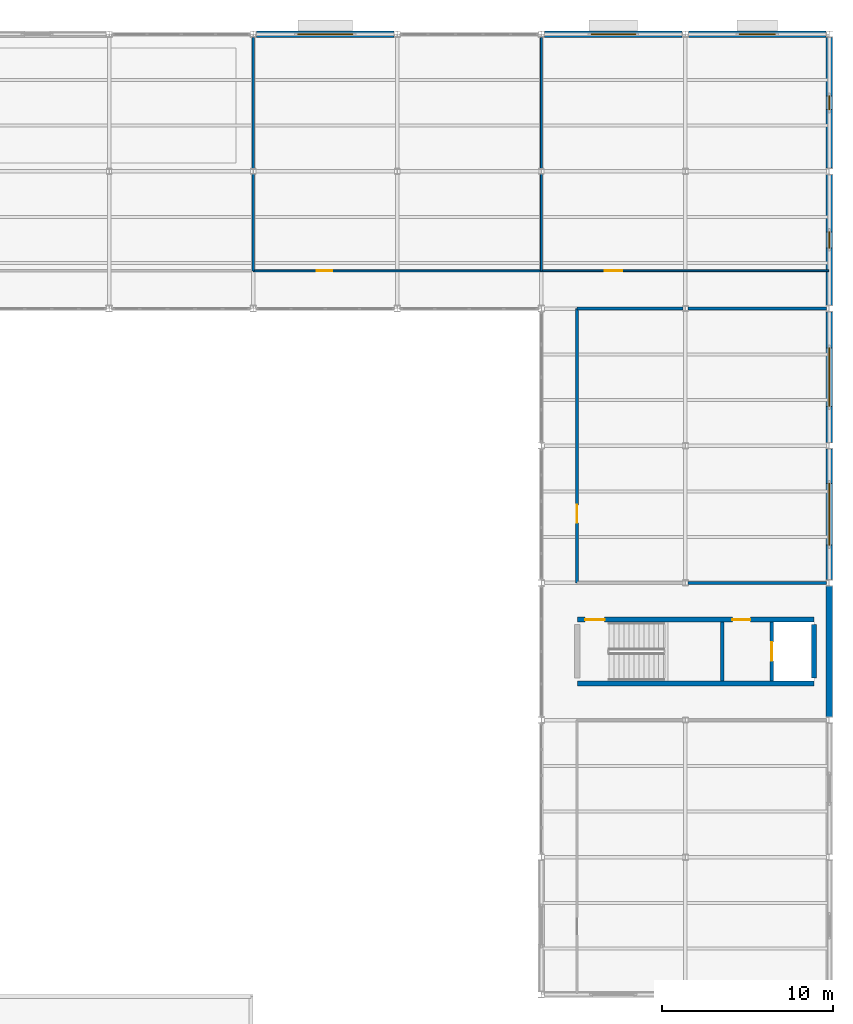
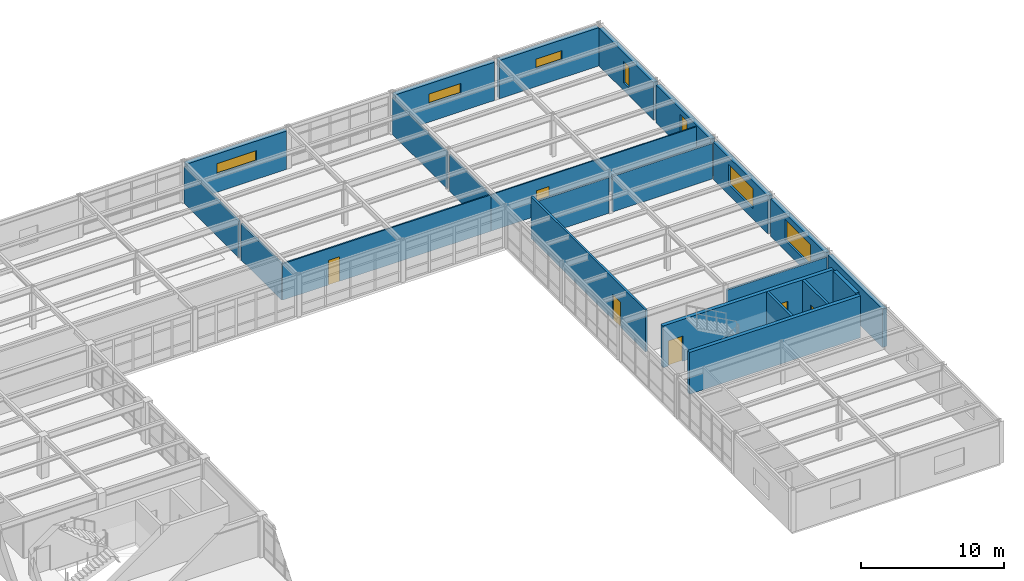
# One storey, part 54 of 96: 23 walls, 7 windows, 6 doors, 13 openings.
"""IFC4 building model written with IfcOpenShell, lengths in metres."""

from ifc_helpers import new_model, si_unit, direction, frame, frame_2d, origin, place, context, subcontext, project, spatial, rectangle, extrude, material, layer, layer_set, type_object, element, fill, save


model = new_model("IFC4")

# Units and contexts
model_context = context("Model", 3, precision=1e-05, world=origin(), true_north=direction((0.0, 1.0)))
body_context = subcontext(model_context, "Body", "Model", "MODEL_VIEW")
ifc_project = project(units=[si_unit("LENGTHUNIT", "METRE"), si_unit("AREAUNIT", "SQUARE_METRE"), si_unit("VOLUMEUNIT", "CUBIC_METRE"), si_unit("PLANEANGLEUNIT", "RADIAN"), si_unit("MASSUNIT", "GRAM", prefix="KILO")], contexts=[model_context])

# Site, building, storey
site_placement = place(None, origin())
site = spatial("IfcSite", under=ifc_project, at=site_placement, CompositionType="ELEMENT")
building_placement = place(site_placement, origin())
building = spatial("IfcBuilding", under=site, at=building_placement, Name="Kranzveld Transit Interchange", CompositionType="ELEMENT")
storey_placement = place(building_placement, frame((0.0, 0.0, 9.52001953125)))
storey = spatial("IfcBuildingStorey", under=building, at=storey_placement, Name="L02", CompositionType="ELEMENT", Elevation=9.52001953125)

# Wall, opening, door
ifc_material_1 = material(Name="Clay masonry unit wall, 20 MPa", Category="masonry")
ifc_layer_1 = layer(ifc_material_1, 0.1650390625)
ifc_layer_set_1 = layer_set([ifc_layer_1], Name="Clay masonry unit wall, 20 MPa")
wall_type_1 = type_object("IfcWallType", Name="Acoustic Double-Stud Partition 165", PredefinedType="PARTITIONING", material=ifc_layer_set_1)
wall_1_placement = place(storey_placement, frame((153.280029296875, 80.0, 0.0), z_axis=(0.0, 0.0, 1.0), x_axis=(0.0, 1.0, 0.0)))
wall_1 = element("IfcWall", 1, at=wall_1_placement, inside=storey, type_object=wall_type_1, Name="L02 Partition IW-L02-L02V4E-FRT-221-0", PredefinedType="PARTITIONING", context=body_context, shape_type="SweptSolid", body=[
    extrude(rectangle(XDim=16.0, YDim=0.1650390625, at=frame_2d((8.0, 0.0))), origin(), (0.0, 0.0, 1.0), 3.570068359375),
])
opening_1_placement = place(wall_1_placement, frame((4.550048828125, 0.0, 0.0), z_axis=(0.0, 0.0, 1.0), x_axis=(-1.0, 0.0, 0.0)))
opening_1 = element("IfcOpeningElement", 2, at=opening_1_placement, cuts=wall_1, Name="Opening D-221", PredefinedType="OPENING", context=body_context, shape_type="SweptSolid", body=[
    extrude(rectangle(XDim=1.050048828125, YDim=2.14990234375, at=frame_2d((0.52490234375, 1.074951171875))), frame((0.0, 0.092529296875, 0.0), z_axis=(0.0, -1.0, 0.0), x_axis=(1.0, 0.0, 0.0)), (0.0, 0.0, 1.0), 0.18505859375),
])
ifc_material_2 = material(Name="Bronze-anodised thermally broken aluminium", Category="aluminium")
door_type_1 = type_object("IfcDoorType", Name="Acoustic Meeting Door 1050x2150", OperationType="NOTDEFINED", PredefinedType="DOOR", material=ifc_material_2)
door_1_placement = place(opening_1_placement, origin())
door_1 = element("IfcDoor", 3, at=door_1_placement, inside=storey, type_object=door_type_1, Name="L02 Interior Door D-221", OperationType="SINGLE_SWING_RIGHT", OverallHeight=2.14990234375, OverallWidth=1.050048828125, PredefinedType="DOOR", context=body_context, shape_type="SweptSolid", body=[
    extrude(rectangle(XDim=1.050048828125, YDim=2.14990234375, at=frame_2d((0.52490234375, 1.074951171875))), frame((0.0, 0.02490234375, 0.0), z_axis=(0.0, -1.0, 0.0), x_axis=(1.0, 0.0, 0.0)), (0.0, 0.0, 1.0), 0.050048828125),
])
fill(opening_1, door_1)

# Walls
wall_2_placement = place(storey_placement, frame((159.747314453125, 80.0, 0.0), z_axis=(0.0, 0.0, 1.0), x_axis=(1.0, 0.0, 0.0)))
element("IfcWall", 4, at=wall_2_placement, inside=storey, type_object=wall_type_1, Name="L02 Partition IW-L02-L02V4E-S-221-1", PredefinedType="PARTITIONING", context=body_context, shape_type="SweptSolid", body=[
    extrude(rectangle(XDim=8.075439453125, YDim=0.1650390625, at=frame_2d((4.03759765625, 0.0))), origin(), (0.0, 0.0, 1.0), 3.036865234375),
])
wall_3_placement = place(storey_placement, frame((153.280029296875, 96.0, 0.0), z_axis=(0.0, 0.0, 1.0), x_axis=(1.0, 0.0, 0.0)))
element("IfcWall", 5, at=wall_3_placement, inside=storey, type_object=wall_type_1, Name="L02 Partition IW-L02-L02V4E-N-221-0", PredefinedType="PARTITIONING", context=body_context, shape_type="SweptSolid", body=[
    extrude(rectangle(XDim=6.172607421875, YDim=0.1650390625, at=frame_2d((3.08642578125, 0.0))), origin(), (0.0, 0.0, 1.0), 3.036865234375),
])
wall_4_placement = place(storey_placement, frame((159.747314453125, 96.0, 0.0), z_axis=(0.0, 0.0, 1.0), x_axis=(1.0, 0.0, 0.0)))
element("IfcWall", 6, at=wall_4_placement, inside=storey, type_object=wall_type_1, Name="L02 Partition IW-L02-L02V4E-N-221-1", PredefinedType="PARTITIONING", context=body_context, shape_type="SweptSolid", body=[
    extrude(rectangle(XDim=8.075439453125, YDim=0.1650390625, at=frame_2d((4.03759765625, 0.0))), origin(), (0.0, 0.0, 1.0), 3.036865234375),
])
ifc_material_3 = material(Name="Clay masonry unit wall, 20 MPa", Category="masonry")
ifc_layer_2 = layer(ifc_material_3, 0.139892578125)
ifc_layer_set_2 = layer_set([ifc_layer_2], Name="Clay masonry unit wall, 20 MPa")
wall_type_2 = type_object("IfcWallType", Name="Acoustic Stud Partition 140", PredefinedType="PARTITIONING", material=ifc_layer_set_2)
wall_5_placement = place(storey_placement, frame((134.39990234375, 98.199951171875, 0.0), z_axis=(0.0, 0.0, 1.0), x_axis=(0.0, 1.0, 0.0)))
element("IfcWall", 7, at=wall_5_placement, inside=storey, type_object=wall_type_2, Name="L02 Partition IW-L02-L02V4N-E-208-0", PredefinedType="PARTITIONING", context=body_context, shape_type="SweptSolid", body=[
    extrude(rectangle(XDim=5.64013671875, YDim=0.139892578125, at=frame_2d((2.820068359375, 0.0))), origin(), (0.0, 0.0, 1.0), 3.106689453125),
])
wall_6_placement = place(storey_placement, frame((134.39990234375, 104.159912109375, 0.0), z_axis=(0.0, 0.0, 1.0), x_axis=(0.0, 1.0, 0.0)))
element("IfcWall", 8, at=wall_6_placement, inside=storey, type_object=wall_type_2, Name="L02 Partition IW-L02-L02V4N-E-208-1", PredefinedType="PARTITIONING", context=body_context, shape_type="SweptSolid", body=[
    extrude(rectangle(XDim=7.662841796875, YDim=0.139892578125, at=frame_2d((3.83154296875, 0.0))), origin(), (0.0, 0.0, 1.0), 3.106689453125),
])
ifc_material_4 = material(Name="Concrete C40/50", Category="concrete")
ifc_layer_3 = layer(ifc_material_4, 0.300048828125)
ifc_layer_set_3 = layer_set([ifc_layer_3], Name="Concrete C40/50")
wall_type_3 = type_object("IfcWallType", Name="Core Shear Wall RC 300 C40/50", PredefinedType="SHEAR", material=ifc_layer_set_3)
wall_7_placement = place(storey_placement, frame((153.300048828125, 74.139892578125, 0.0), z_axis=(0.0, 0.0, 1.0), x_axis=(1.0, 0.0, 0.0)))
element("IfcWall", 9, at=wall_7_placement, inside=storey, type_object=wall_type_3, Name="L02 Community East Core C4 Shear Wall S", PredefinedType="SHEAR", context=body_context, shape_type="SweptSolid", body=[
    extrude(rectangle(XDim=13.800048828125, YDim=0.300048828125, at=frame_2d((6.89990234375, 0.0))), origin(), (0.0, 0.0, 1.0), 3.570068359375),
])

# Wall, openings, doors
wall_8_placement = place(storey_placement, frame((153.300048828125, 77.860107421875, 0.0), z_axis=(0.0, 0.0, 1.0), x_axis=(1.0, 0.0, 0.0)))
wall_8 = element("IfcWall", 10, at=wall_8_placement, inside=storey, type_object=wall_type_3, Name="L02 Community East Core C4 Shear Wall N", PredefinedType="SHEAR", context=body_context, shape_type="SweptSolid", body=[
    extrude(rectangle(XDim=13.800048828125, YDim=0.300048828125, at=frame_2d((6.89990234375, 0.0))), origin(), (0.0, 0.0, 1.0), 3.570068359375),
])
opening_2_placement = place(wall_8_placement, frame((0.449951171875, 0.0, 0.0), z_axis=(0.0, 0.0, 1.0), x_axis=(1.0, 0.0, 0.0)))
opening_2 = element("IfcOpeningElement", 11, at=opening_2_placement, cuts=wall_8, Name="Opening D-ST-C4-L02", PredefinedType="OPENING", context=body_context, shape_type="SweptSolid", body=[
    extrude(rectangle(XDim=1.14990234375, YDim=2.14990234375, at=frame_2d((0.574951171875, 1.074951171875))), frame((0.0, 0.159912109375, 0.0), z_axis=(0.0, -1.0, 0.0), x_axis=(1.0, 0.0, 0.0)), (0.0, 0.0, 1.0), 0.320068359375),
])
opening_3_placement = place(wall_8_placement, frame((9.050048828125, 0.0, 0.0), z_axis=(0.0, 0.0, 1.0), x_axis=(1.0, 0.0, 0.0)))
opening_3 = element("IfcOpeningElement", 12, at=opening_3_placement, cuts=wall_8, Name="Opening D-LB-C4-L02", PredefinedType="OPENING", context=body_context, shape_type="SweptSolid", body=[
    extrude(rectangle(XDim=1.050048828125, YDim=2.14990234375, at=frame_2d((0.52490234375, 1.074951171875))), frame((0.0, 0.159912109375, 0.0), z_axis=(0.0, -1.0, 0.0), x_axis=(1.0, 0.0, 0.0)), (0.0, 0.0, 1.0), 0.320068359375),
])
ifc_material_5 = material(Name="Steel S355JR", Category="steel")
door_type_2 = type_object("IfcDoorType", Name="Lift Lobby Fire Door 1050x2150 FD120S", OperationType="NOTDEFINED", PredefinedType="DOOR", material=ifc_material_5)
door_2_placement = place(opening_3_placement, origin())
door_2 = element("IfcDoor", 13, at=door_2_placement, inside=storey, type_object=door_type_2, Name="L02 Community East Core C4 Lift Protected Lobby Door", OperationType="SINGLE_SWING_RIGHT", OverallHeight=2.14990234375, OverallWidth=1.050048828125, PredefinedType="DOOR", context=body_context, shape_type="SweptSolid", body=[
    extrude(rectangle(XDim=1.050048828125, YDim=2.14990234375, at=frame_2d((0.52490234375, 1.074951171875))), frame((0.0, 0.02490234375, 0.0), z_axis=(0.0, -1.0, 0.0), x_axis=(1.0, 0.0, 0.0)), (0.0, 0.0, 1.0), 0.050048828125),
])
fill(opening_3, door_2)
ifc_material_6 = material(Name="Steel S355JR", Category="steel")
door_type_3 = type_object("IfcDoorType", Name="Stair Core Fire Door 1150x2150 FD120S", OperationType="NOTDEFINED", PredefinedType="DOOR", material=ifc_material_6)
door_3_placement = place(opening_2_placement, origin())
door_3 = element("IfcDoor", 14, at=door_3_placement, inside=storey, type_object=door_type_3, Name="L02 ST-V4B Protected Stair Door", OperationType="SINGLE_SWING_RIGHT", OverallHeight=2.14990234375, OverallWidth=1.14990234375, PredefinedType="DOOR", context=body_context, shape_type="SweptSolid", body=[
    extrude(rectangle(XDim=1.14990234375, YDim=2.14990234375, at=frame_2d((0.574951171875, 1.074951171875))), frame((0.0, 0.02490234375, 0.0), z_axis=(0.0, -1.0, 0.0), x_axis=(1.0, 0.0, 0.0)), (0.0, 0.0, 1.0), 0.050048828125),
])
fill(opening_2, door_3)

# Wall
wall_9_placement = place(storey_placement, frame((167.10009765625, 74.43994140625, 0.0), z_axis=(0.0, 0.0, 1.0), x_axis=(0.0, 1.0, 0.0)))
element("IfcWall", 15, at=wall_9_placement, inside=storey, type_object=wall_type_3, Name="L02 Community East Core C4 Shear Wall E", PredefinedType="SHEAR", context=body_context, shape_type="SweptSolid", body=[
    extrude(rectangle(XDim=3.1201171875, YDim=0.300048828125, at=frame_2d((1.56005859375, 0.0))), origin(), (0.0, 0.0, 1.0), 3.570068359375),
])

# Wall, opening, window
ifc_material_7 = material(Name="Pretoria red-purple clinker clay face brick, 35 MPa", Category="masonry")
ifc_layer_4 = layer(ifc_material_7, 0.360107421875)
ifc_layer_set_4 = layer_set([ifc_layer_4], Name="Pretoria red-purple clinker clay face brick, 35 MPa")
wall_type_4 = type_object("IfcWallType", Name="Exterior Cavity Wall Red Clinker 360", PredefinedType="SOLIDWALL", material=ifc_layer_set_4)
wall_10_placement = place(storey_placement, frame((134.58740234375, 112.0, 0.0), z_axis=(0.0, 0.0, 1.0), x_axis=(1.0, 0.0, 0.0)))
wall_10 = element("IfcWall", 16, at=wall_10_placement, inside=storey, type_object=wall_type_4, Name="L02 Clinker Facade Wall 17/Q-18/Q", PredefinedType="SOLIDWALL", context=body_context, shape_type="SweptSolid", body=[
    extrude(rectangle(XDim=8.025390625, YDim=0.360107421875, at=frame_2d((4.0126953125, 0.0))), origin(), (0.0, 0.0, 1.0), 3.27001953125),
])
opening_4_placement = place(wall_10_placement, frame((2.41259765625, 0.0, 1.550048828125), z_axis=(0.0, 0.0, 1.0), x_axis=(1.0, 0.0, 0.0)))
opening_4 = element("IfcOpeningElement", 17, at=opening_4_placement, cuts=wall_10, Name="Opening W-14", PredefinedType="OPENING", context=body_context, shape_type="SweptSolid", body=[
    extrude(rectangle(XDim=3.199951171875, YDim=0.89990234375, at=frame_2d((1.60009765625, 0.449951171875))), frame((0.0, 0.18994140625, 0.0), z_axis=(0.0, -1.0, 0.0), x_axis=(1.0, 0.0, 0.0)), (0.0, 0.0, 1.0), 0.380126953125),
])
ifc_material_8 = material(Name="Solar-control double glazing", Category="glass")
window_type_1 = type_object("IfcWindowType", Name="Window Clerestory 3200x900", PartitioningType="TRIPLE_PANEL_HORIZONTAL", PredefinedType="WINDOW", material=ifc_material_8)
window_1_placement = place(opening_4_placement, origin())
window_1 = element("IfcWindow", 18, at=window_1_placement, inside=storey, type_object=window_type_1, Name="L02 Facade Window 17/Q", OverallHeight=0.89990234375, OverallWidth=3.199951171875, PartitioningType="TRIPLE_PANEL_HORIZONTAL", PredefinedType="WINDOW", context=body_context, shape_type="SweptSolid", body=[
    extrude(rectangle(XDim=3.199951171875, YDim=0.89990234375, at=frame_2d((1.60009765625, 0.449951171875))), frame((0.0, 0.030029296875, 0.0), z_axis=(0.0, -1.0, 0.0), x_axis=(1.0, 0.0, 0.0)), (0.0, 0.0, 1.0), 0.06005859375),
])
fill(opening_4, window_1)

wall_11_placement = place(storey_placement, frame((151.38720703125, 112.0, 0.0), z_axis=(0.0, 0.0, 1.0), x_axis=(1.0, 0.0, 0.0)))
wall_11 = element("IfcWall", 19, at=wall_11_placement, inside=storey, type_object=wall_type_4, Name="L02 Clinker Facade Wall 19/Q-20/Q", PredefinedType="SOLIDWALL", context=body_context, shape_type="SweptSolid", body=[
    extrude(rectangle(XDim=8.025390625, YDim=0.360107421875, at=frame_2d((4.0126953125, 0.0))), origin(), (0.0, 0.0, 1.0), 3.27001953125),
])
opening_5_placement = place(wall_11_placement, frame((2.712646484375, 0.0, 1.550048828125), z_axis=(0.0, 0.0, 1.0), x_axis=(1.0, 0.0, 0.0)))
opening_5 = element("IfcOpeningElement", 20, at=opening_5_placement, cuts=wall_11, Name="Opening W-15", PredefinedType="OPENING", context=body_context, shape_type="SweptSolid", body=[
    extrude(rectangle(XDim=2.60009765625, YDim=0.85009765625, at=frame_2d((1.300048828125, 0.425048828125))), frame((0.0, 0.18994140625, 0.0), z_axis=(0.0, -1.0, 0.0), x_axis=(1.0, 0.0, 0.0)), (0.0, 0.0, 1.0), 0.380126953125),
])
ifc_material_9 = material(Name="Solar-control double glazing", Category="glass")
window_type_2 = type_object("IfcWindowType", Name="Window Clerestory 2600x850", PartitioningType="DOUBLE_PANEL_HORIZONTAL", PredefinedType="WINDOW", material=ifc_material_9)
window_2_placement = place(opening_5_placement, origin())
window_2 = element("IfcWindow", 21, at=window_2_placement, inside=storey, type_object=window_type_2, Name="L02 Facade Window 19/Q", OverallHeight=0.85009765625, OverallWidth=2.60009765625, PartitioningType="DOUBLE_PANEL_HORIZONTAL", PredefinedType="WINDOW", context=body_context, shape_type="SweptSolid", body=[
    extrude(rectangle(XDim=2.60009765625, YDim=0.85009765625, at=frame_2d((1.300048828125, 0.425048828125))), frame((0.0, 0.030029296875, 0.0), z_axis=(0.0, -1.0, 0.0), x_axis=(1.0, 0.0, 0.0)), (0.0, 0.0, 1.0), 0.06005859375),
])
fill(opening_5, window_2)

wall_12_placement = place(storey_placement, frame((159.787353515625, 112.0, 0.0), z_axis=(0.0, 0.0, 1.0), x_axis=(1.0, 0.0, 0.0)))
wall_12 = element("IfcWall", 22, at=wall_12_placement, inside=storey, type_object=wall_type_4, Name="L02 Clinker Facade Wall 20/Q-21/Q", PredefinedType="SOLIDWALL", context=body_context, shape_type="SweptSolid", body=[
    extrude(rectangle(XDim=8.025390625, YDim=0.360107421875, at=frame_2d((4.0126953125, 0.0))), origin(), (0.0, 0.0, 1.0), 3.27001953125),
])
opening_6_placement = place(wall_12_placement, frame((2.962646484375, 0.0, 1.550048828125), z_axis=(0.0, 0.0, 1.0), x_axis=(1.0, 0.0, 0.0)))
opening_6 = element("IfcOpeningElement", 23, at=opening_6_placement, cuts=wall_12, Name="Opening W-16", PredefinedType="OPENING", context=body_context, shape_type="SweptSolid", body=[
    extrude(rectangle(XDim=2.10009765625, YDim=0.800048828125, at=frame_2d((1.050048828125, 0.39990234375))), frame((0.0, 0.18994140625, 0.0), z_axis=(0.0, -1.0, 0.0), x_axis=(1.0, 0.0, 0.0)), (0.0, 0.0, 1.0), 0.380126953125),
])
ifc_material_10 = material(Name="Solar-control double glazing", Category="glass")
window_type_3 = type_object("IfcWindowType", Name="Window Clerestory 2100x800", PartitioningType="DOUBLE_PANEL_HORIZONTAL", PredefinedType="WINDOW", material=ifc_material_10)
window_3_placement = place(opening_6_placement, origin())
window_3 = element("IfcWindow", 24, at=window_3_placement, inside=storey, type_object=window_type_3, Name="L02 Facade Window 20/Q", OverallHeight=0.800048828125, OverallWidth=2.10009765625, PartitioningType="DOUBLE_PANEL_HORIZONTAL", PredefinedType="WINDOW", context=body_context, shape_type="SweptSolid", body=[
    extrude(rectangle(XDim=2.10009765625, YDim=0.800048828125, at=frame_2d((1.050048828125, 0.39990234375))), frame((0.0, 0.030029296875, 0.0), z_axis=(0.0, -1.0, 0.0), x_axis=(1.0, 0.0, 0.0)), (0.0, 0.0, 1.0), 0.06005859375),
])
fill(opening_6, window_3)

wall_13_placement = place(storey_placement, frame((168.0, 96.187255859375, 0.0), z_axis=(0.0, 0.0, 1.0), x_axis=(0.0, 1.0, 0.0)))
wall_13 = element("IfcWall", 25, at=wall_13_placement, inside=storey, type_object=wall_type_4, Name="L02 Clinker Facade Wall 21/N-21/P", PredefinedType="SOLIDWALL", context=body_context, shape_type="SweptSolid", body=[
    extrude(rectangle(XDim=7.62548828125, YDim=0.360107421875, at=frame_2d((3.812744140625, 0.0))), origin(), (0.0, 0.0, 1.0), 3.218505859375),
])
opening_7_placement = place(wall_13_placement, frame((3.337646484375, 0.0, 0.64990234375), z_axis=(0.0, 0.0, 1.0), x_axis=(1.0, 0.0, 0.0)))
opening_7 = element("IfcOpeningElement", 26, at=opening_7_placement, cuts=wall_13, Name="Opening W-17", PredefinedType="OPENING", context=body_context, shape_type="SweptSolid", body=[
    extrude(rectangle(XDim=0.949951171875, YDim=2.10009765625, at=frame_2d((0.47509765625, 1.050048828125))), frame((0.0, 0.18994140625, 0.0), z_axis=(0.0, -1.0, 0.0), x_axis=(1.0, 0.0, 0.0)), (0.0, 0.0, 1.0), 0.380126953125),
])
ifc_material_11 = material(Name="Solar-control double glazing", Category="glass")
window_type_4 = type_object("IfcWindowType", Name="Window Ladder Slot 950x2100", PartitioningType="SINGLE_PANEL", PredefinedType="WINDOW", material=ifc_material_11)
window_4_placement = place(opening_7_placement, origin())
window_4 = element("IfcWindow", 27, at=window_4_placement, inside=storey, type_object=window_type_4, Name="L02 Facade Window 21/N", OverallHeight=2.10009765625, OverallWidth=0.949951171875, PartitioningType="SINGLE_PANEL", PredefinedType="WINDOW", context=body_context, shape_type="SweptSolid", body=[
    extrude(rectangle(XDim=0.949951171875, YDim=2.10009765625, at=frame_2d((0.47509765625, 1.050048828125))), frame((0.0, 0.030029296875, 0.0), z_axis=(0.0, -1.0, 0.0), x_axis=(1.0, 0.0, 0.0)), (0.0, 0.0, 1.0), 0.06005859375),
])
fill(opening_7, window_4)

wall_14_placement = place(storey_placement, frame((168.0, 104.187255859375, 0.0), z_axis=(0.0, 0.0, 1.0), x_axis=(0.0, 1.0, 0.0)))
wall_14 = element("IfcWall", 28, at=wall_14_placement, inside=storey, type_object=wall_type_4, Name="L02 Clinker Facade Wall 21/P-21/Q", PredefinedType="SOLIDWALL", context=body_context, shape_type="SweptSolid", body=[
    extrude(rectangle(XDim=7.62548828125, YDim=0.360107421875, at=frame_2d((3.812744140625, 0.0))), origin(), (0.0, 0.0, 1.0), 3.218505859375),
])
opening_8_placement = place(wall_14_placement, frame((3.41259765625, 0.0, 0.64990234375), z_axis=(0.0, 0.0, 1.0), x_axis=(1.0, 0.0, 0.0)))
opening_8 = element("IfcOpeningElement", 29, at=opening_8_placement, cuts=wall_14, Name="Opening W-18", PredefinedType="OPENING", context=body_context, shape_type="SweptSolid", body=[
    extrude(rectangle(XDim=0.800048828125, YDim=1.85009765625, at=frame_2d((0.39990234375, 0.925048828125))), frame((0.0, 0.18994140625, 0.0), z_axis=(0.0, -1.0, 0.0), x_axis=(1.0, 0.0, 0.0)), (0.0, 0.0, 1.0), 0.380126953125),
])
ifc_material_12 = material(Name="Solar-control double glazing", Category="glass")
window_type_5 = type_object("IfcWindowType", Name="Window Ladder Slot 800x1850", PartitioningType="SINGLE_PANEL", PredefinedType="WINDOW", material=ifc_material_12)
window_5_placement = place(opening_8_placement, origin())
window_5 = element("IfcWindow", 30, at=window_5_placement, inside=storey, type_object=window_type_5, Name="L02 Facade Window 21/P", OverallHeight=1.85009765625, OverallWidth=0.800048828125, PartitioningType="SINGLE_PANEL", PredefinedType="WINDOW", context=body_context, shape_type="SweptSolid", body=[
    extrude(rectangle(XDim=0.800048828125, YDim=1.85009765625, at=frame_2d((0.39990234375, 0.925048828125))), frame((0.0, 0.030029296875, 0.0), z_axis=(0.0, -1.0, 0.0), x_axis=(1.0, 0.0, 0.0)), (0.0, 0.0, 1.0), 0.06005859375),
])
fill(opening_8, window_5)

# Wall
wall_15_placement = place(storey_placement, frame((168.0, 72.187255859375, 0.0), z_axis=(0.0, 0.0, 1.0), x_axis=(0.0, 1.0, 0.0)))
element("IfcWall", 31, at=wall_15_placement, inside=storey, type_object=wall_type_4, Name="L02 Clinker Facade Wall 21/K-21/L", PredefinedType="SOLIDWALL", context=body_context, shape_type="SweptSolid", body=[
    extrude(rectangle(XDim=7.62548828125, YDim=0.360107421875, at=frame_2d((3.812744140625, 0.0))), origin(), (0.0, 0.0, 1.0), 3.27001953125),
])

# Wall, opening, window
wall_16_placement = place(storey_placement, frame((168.0, 80.187255859375, 0.0), z_axis=(0.0, 0.0, 1.0), x_axis=(0.0, 1.0, 0.0)))
wall_16 = element("IfcWall", 32, at=wall_16_placement, inside=storey, type_object=wall_type_4, Name="L02 Clinker Facade Wall 21/L-21/M", PredefinedType="SOLIDWALL", context=body_context, shape_type="SweptSolid", body=[
    extrude(rectangle(XDim=7.62548828125, YDim=0.360107421875, at=frame_2d((3.812744140625, 0.0))), origin(), (0.0, 0.0, 1.0), 3.218505859375),
])
opening_9_placement = place(wall_16_placement, frame((2.0126953125, 0.0, 0.89990234375), z_axis=(0.0, 0.0, 1.0), x_axis=(1.0, 0.0, 0.0)))
opening_9 = element("IfcOpeningElement", 33, at=opening_9_placement, cuts=wall_16, Name="Opening W-01", PredefinedType="OPENING", context=body_context, shape_type="SweptSolid", body=[
    extrude(rectangle(XDim=3.60009765625, YDim=1.800048828125, at=frame_2d((1.800048828125, 0.89990234375))), frame((0.0, 0.18994140625, 0.0), z_axis=(0.0, -1.0, 0.0), x_axis=(1.0, 0.0, 0.0)), (0.0, 0.0, 1.0), 0.380126953125),
])
ifc_material_13 = material(Name="Solar-control double glazing", Category="glass")
window_type_6 = type_object("IfcWindowType", Name="Window Ribbon Triple 3600x1800", PartitioningType="TRIPLE_PANEL_VERTICAL", PredefinedType="WINDOW", material=ifc_material_13)
window_6_placement = place(opening_9_placement, origin())
window_6 = element("IfcWindow", 34, at=window_6_placement, inside=storey, type_object=window_type_6, Name="L02 Facade Window 21/L", OverallHeight=1.800048828125, OverallWidth=3.60009765625, PartitioningType="TRIPLE_PANEL_VERTICAL", PredefinedType="WINDOW", context=body_context, shape_type="SweptSolid", body=[
    extrude(rectangle(XDim=3.60009765625, YDim=1.800048828125, at=frame_2d((1.800048828125, 0.89990234375))), frame((0.0, 0.030029296875, 0.0), z_axis=(0.0, -1.0, 0.0), x_axis=(1.0, 0.0, 0.0)), (0.0, 0.0, 1.0), 0.06005859375),
])
fill(opening_9, window_6)

wall_17_placement = place(storey_placement, frame((168.0, 88.187255859375, 0.0), z_axis=(0.0, 0.0, 1.0), x_axis=(0.0, 1.0, 0.0)))
wall_17 = element("IfcWall", 35, at=wall_17_placement, inside=storey, type_object=wall_type_4, Name="L02 Clinker Facade Wall 21/M-21/N", PredefinedType="SOLIDWALL", context=body_context, shape_type="SweptSolid", body=[
    extrude(rectangle(XDim=7.62548828125, YDim=0.360107421875, at=frame_2d((3.812744140625, 0.0))), origin(), (0.0, 0.0, 1.0), 3.218505859375),
])
opening_10_placement = place(wall_17_placement, frame((2.11279296875, 0.0, 0.89990234375), z_axis=(0.0, 0.0, 1.0), x_axis=(1.0, 0.0, 0.0)))
opening_10 = element("IfcOpeningElement", 36, at=opening_10_placement, cuts=wall_17, Name="Opening W-02", PredefinedType="OPENING", context=body_context, shape_type="SweptSolid", body=[
    extrude(rectangle(XDim=3.39990234375, YDim=1.699951171875, at=frame_2d((1.699951171875, 0.85009765625))), frame((0.0, 0.18994140625, 0.0), z_axis=(0.0, -1.0, 0.0), x_axis=(1.0, 0.0, 0.0)), (0.0, 0.0, 1.0), 0.380126953125),
])
ifc_material_14 = material(Name="Solar-control double glazing", Category="glass")
window_type_7 = type_object("IfcWindowType", Name="Window Ribbon Triple 3400x1700", PartitioningType="TRIPLE_PANEL_VERTICAL", PredefinedType="WINDOW", material=ifc_material_14)
window_7_placement = place(opening_10_placement, origin())
window_7 = element("IfcWindow", 37, at=window_7_placement, inside=storey, type_object=window_type_7, Name="L02 Facade Window 21/M", OverallHeight=1.699951171875, OverallWidth=3.39990234375, PartitioningType="TRIPLE_PANEL_VERTICAL", PredefinedType="WINDOW", context=body_context, shape_type="SweptSolid", body=[
    extrude(rectangle(XDim=3.39990234375, YDim=1.699951171875, at=frame_2d((1.699951171875, 0.85009765625))), frame((0.0, 0.030029296875, 0.0), z_axis=(0.0, -1.0, 0.0), x_axis=(1.0, 0.0, 0.0)), (0.0, 0.0, 1.0), 0.06005859375),
])
fill(opening_10, window_7)

# Wall, opening, door
ifc_material_15 = material(Name="Clay masonry unit wall, 20 MPa", Category="masonry")
ifc_layer_5 = layer(ifc_material_15, 0.114990234375)
ifc_layer_set_5 = layer_set([ifc_layer_5], Name="Clay masonry unit wall, 20 MPa")
wall_type_5 = type_object("IfcWallType", Name="Internal Masonry Partition 115", PredefinedType="PARTITIONING", material=ifc_layer_set_5)
wall_18_placement = place(storey_placement, frame((134.39990234375, 98.199951171875, 0.0), z_axis=(0.0, 0.0, 1.0), x_axis=(1.0, 0.0, 0.0)))
wall_18 = element("IfcWall", 38, at=wall_18_placement, inside=storey, type_object=wall_type_5, Name="L02 Partition IW-L02-L02V4N-FRT-209-0", PredefinedType="PARTITIONING", context=body_context, shape_type="SweptSolid", body=[
    extrude(rectangle(XDim=16.800048828125, YDim=0.114990234375, at=frame_2d((8.39990234375, 0.0))), origin(), (0.0, 0.0, 1.0), 3.106689453125),
])
opening_11_placement = place(wall_18_placement, frame((3.699951171875, 0.0, 0.0), z_axis=(0.0, 0.0, 1.0), x_axis=(1.0, 0.0, 0.0)))
opening_11 = element("IfcOpeningElement", 39, at=opening_11_placement, cuts=wall_18, Name="Opening D-209", PredefinedType="OPENING", context=body_context, shape_type="SweptSolid", body=[
    extrude(rectangle(XDim=0.89990234375, YDim=2.10009765625, at=frame_2d((0.449951171875, 1.050048828125))), frame((0.0, 0.0673828125, 0.0), z_axis=(0.0, -1.0, 0.0), x_axis=(1.0, 0.0, 0.0)), (0.0, 0.0, 1.0), 0.135009765625),
])
ifc_material_16 = material(Name="Bronze-anodised thermally broken aluminium", Category="aluminium")
door_type_4 = type_object("IfcDoorType", Name="Staff Office Door 900x2100", OperationType="NOTDEFINED", PredefinedType="DOOR", material=ifc_material_16)
door_4_placement = place(opening_11_placement, origin())
door_4 = element("IfcDoor", 40, at=door_4_placement, inside=storey, type_object=door_type_4, Name="L02 Interior Door D-209", OperationType="SINGLE_SWING_RIGHT", OverallHeight=2.10009765625, OverallWidth=0.89990234375, PredefinedType="DOOR", context=body_context, shape_type="SweptSolid", body=[
    extrude(rectangle(XDim=0.89990234375, YDim=2.10009765625, at=frame_2d((0.449951171875, 1.050048828125))), frame((0.0, 0.02490234375, 0.0), z_axis=(0.0, -1.0, 0.0), x_axis=(1.0, 0.0, 0.0)), (0.0, 0.0, 1.0), 0.050048828125),
])
fill(opening_11, door_4)

# Walls
wall_19_placement = place(storey_placement, frame((151.199951171875, 98.199951171875, 0.0), z_axis=(0.0, 0.0, 1.0), x_axis=(0.0, 1.0, 0.0)))
element("IfcWall", 41, at=wall_19_placement, inside=storey, type_object=wall_type_5, Name="L02 Partition IW-L02-L02V4N-E-209-0", PredefinedType="PARTITIONING", context=body_context, shape_type="SweptSolid", body=[
    extrude(rectangle(XDim=5.64013671875, YDim=0.114990234375, at=frame_2d((2.820068359375, 0.0))), origin(), (0.0, 0.0, 1.0), 3.106689453125),
])
wall_20_placement = place(storey_placement, frame((151.199951171875, 104.159912109375, 0.0), z_axis=(0.0, 0.0, 1.0), x_axis=(0.0, 1.0, 0.0)))
element("IfcWall", 42, at=wall_20_placement, inside=storey, type_object=wall_type_5, Name="L02 Partition IW-L02-L02V4N-E-209-1", PredefinedType="PARTITIONING", context=body_context, shape_type="SweptSolid", body=[
    extrude(rectangle(XDim=7.662841796875, YDim=0.114990234375, at=frame_2d((3.83154296875, 0.0))), origin(), (0.0, 0.0, 1.0), 3.106689453125),
])
ifc_material_17 = material(Name="Concrete C40/50", Category="concrete")
ifc_layer_6 = layer(ifc_material_17, 0.199951171875)
ifc_layer_set_6 = layer_set([ifc_layer_6], Name="Concrete C40/50")
wall_type_6 = type_object("IfcWallType", Name="Lift Shaft Enclosure Wall RC 200 EI120", PredefinedType="SHEAR", material=ifc_layer_set_6)
wall_21_placement = place(storey_placement, frame((161.75, 74.2900390625, 0.0), z_axis=(0.0, 0.0, 1.0), x_axis=(0.0, 1.0, 0.0)))
element("IfcWall", 43, at=wall_21_placement, inside=storey, type_object=wall_type_6, Name="L02 Community East Core C4 Stair-Lobby Dividing Wall", PredefinedType="SHEAR", context=body_context, shape_type="SweptSolid", body=[
    extrude(rectangle(XDim=3.419921875, YDim=0.199951171875, at=frame_2d((1.7099609375, 0.0))), origin(), (0.0, 0.0, 1.0), 3.570068359375),
])

# Wall, opening, door
wall_22_placement = place(storey_placement, frame((164.64990234375, 74.2900390625, 0.0), z_axis=(0.0, 0.0, 1.0), x_axis=(0.0, 1.0, 0.0)))
wall_22 = element("IfcWall", 44, at=wall_22_placement, inside=storey, type_object=wall_type_6, Name="L02 LF-V4B Shaft Front Wall", PredefinedType="SHEAR", context=body_context, shape_type="SweptSolid", body=[
    extrude(rectangle(XDim=3.419921875, YDim=0.199951171875, at=frame_2d((1.7099609375, 0.0))), origin(), (0.0, 0.0, 1.0), 3.570068359375),
])
opening_12_placement = place(wall_22_placement, frame((1.159912109375, 0.0, 0.0), z_axis=(0.0, 0.0, 1.0), x_axis=(1.0, 0.0, 0.0)))
opening_12 = element("IfcOpeningElement", 45, at=opening_12_placement, cuts=wall_22, Name="Opening LD-LF-V4B-L02", PredefinedType="OPENING", context=body_context, shape_type="SweptSolid", body=[
    extrude(rectangle(XDim=1.10009765625, YDim=2.14990234375, at=frame_2d((0.550048828125, 1.074951171875))), frame((0.0, 0.10986328125, 0.0), z_axis=(0.0, -1.0, 0.0), x_axis=(1.0, 0.0, 0.0)), (0.0, 0.0, 1.0), 0.219970703125),
])
ifc_material_18 = material(Name="Steel S355JR", Category="steel")
door_type_5 = type_object("IfcDoorType", Name="Lift Landing Sliding Door 1100x2150 FD120S", OperationType="NOTDEFINED", PredefinedType="DOOR", material=ifc_material_18)
door_5_placement = place(opening_12_placement, origin())
door_5 = element("IfcDoor", 46, at=door_5_placement, inside=storey, type_object=door_type_5, Name="L02 LF-V4B Sliding Landing Door", OperationType="DOUBLE_DOOR_SLIDING", OverallHeight=2.14990234375, OverallWidth=1.10009765625, PredefinedType="DOOR", context=body_context, shape_type="SweptSolid", body=[
    extrude(rectangle(XDim=1.10009765625, YDim=2.14990234375, at=frame_2d((0.550048828125, 1.074951171875))), frame((0.0, 0.02490234375, 0.0), z_axis=(0.0, -1.0, 0.0), x_axis=(1.0, 0.0, 0.0)), (0.0, 0.0, 1.0), 0.050048828125),
])
fill(opening_12, door_5)

ifc_material_19 = material(Name="Clay masonry unit wall, 20 MPa", Category="masonry")
ifc_layer_7 = layer(ifc_material_19, 0.10009765625)
ifc_layer_set_7 = layer_set([ifc_layer_7], Name="Clay masonry unit wall, 20 MPa")
wall_type_7 = type_object("IfcWallType", Name="Lightweight Drywall Partition 100", PredefinedType="PARTITIONING", material=ifc_layer_set_7)
wall_23_placement = place(storey_placement, frame((151.199951171875, 98.199951171875, 0.0), z_axis=(0.0, 0.0, 1.0), x_axis=(1.0, 0.0, 0.0)))
wall_23 = element("IfcWall", 47, at=wall_23_placement, inside=storey, type_object=wall_type_7, Name="L02 Partition IW-L02-L02V4N-FRT-210-0", PredefinedType="PARTITIONING", context=body_context, shape_type="SweptSolid", body=[
    extrude(rectangle(XDim=16.760009765625, YDim=0.10009765625, at=frame_2d((8.3798828125, 0.0))), origin(), (0.0, 0.0, 1.0), 3.106689453125),
])
opening_13_placement = place(wall_23_placement, frame((3.699951171875, 0.0, 0.0), z_axis=(0.0, 0.0, 1.0), x_axis=(1.0, 0.0, 0.0)))
opening_13 = element("IfcOpeningElement", 48, at=opening_13_placement, cuts=wall_23, Name="Opening D-210", PredefinedType="OPENING", context=body_context, shape_type="SweptSolid", body=[
    extrude(rectangle(XDim=1.02001953125, YDim=2.159912109375, at=frame_2d((0.510009765625, 1.080078125))), frame((0.0, 0.06005859375, 0.0), z_axis=(0.0, -1.0, 0.0), x_axis=(1.0, 0.0, 0.0)), (0.0, 0.0, 1.0), 0.1201171875),
])
ifc_material_20 = material(Name="Bronze-anodised thermally broken aluminium", Category="aluminium")
door_type_6 = type_object("IfcDoorType", Name="Studio Wide Door 1020x2160", OperationType="NOTDEFINED", PredefinedType="DOOR", material=ifc_material_20)
door_6_placement = place(opening_13_placement, origin())
door_6 = element("IfcDoor", 49, at=door_6_placement, inside=storey, type_object=door_type_6, Name="L02 Interior Door D-210", OperationType="SINGLE_SWING_LEFT", OverallHeight=2.159912109375, OverallWidth=1.02001953125, PredefinedType="DOOR", context=body_context, shape_type="SweptSolid", body=[
    extrude(rectangle(XDim=1.02001953125, YDim=2.159912109375, at=frame_2d((0.510009765625, 1.080078125))), frame((0.0, 0.02490234375, 0.0), z_axis=(0.0, -1.0, 0.0), x_axis=(1.0, 0.0, 0.0)), (0.0, 0.0, 1.0), 0.050048828125),
])
fill(opening_13, door_6)

save(model, "model.ifc")
